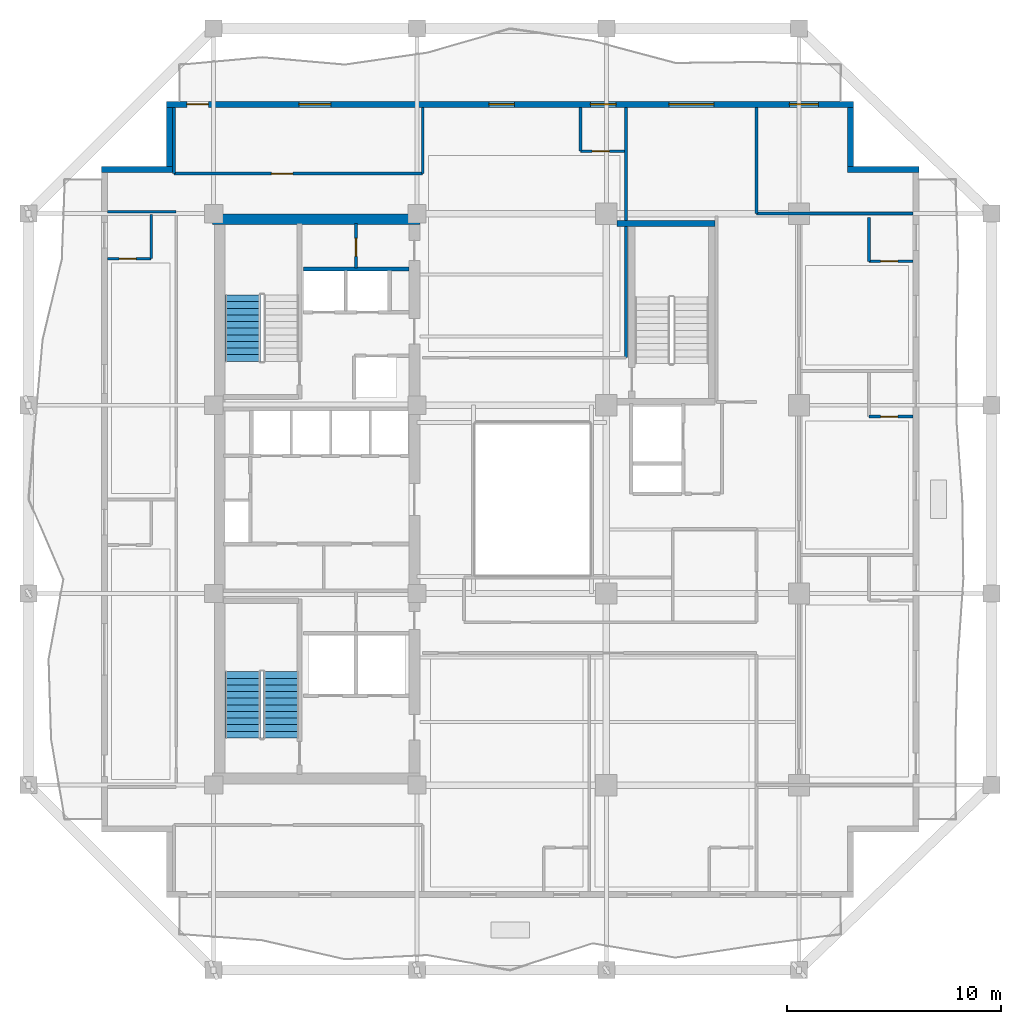
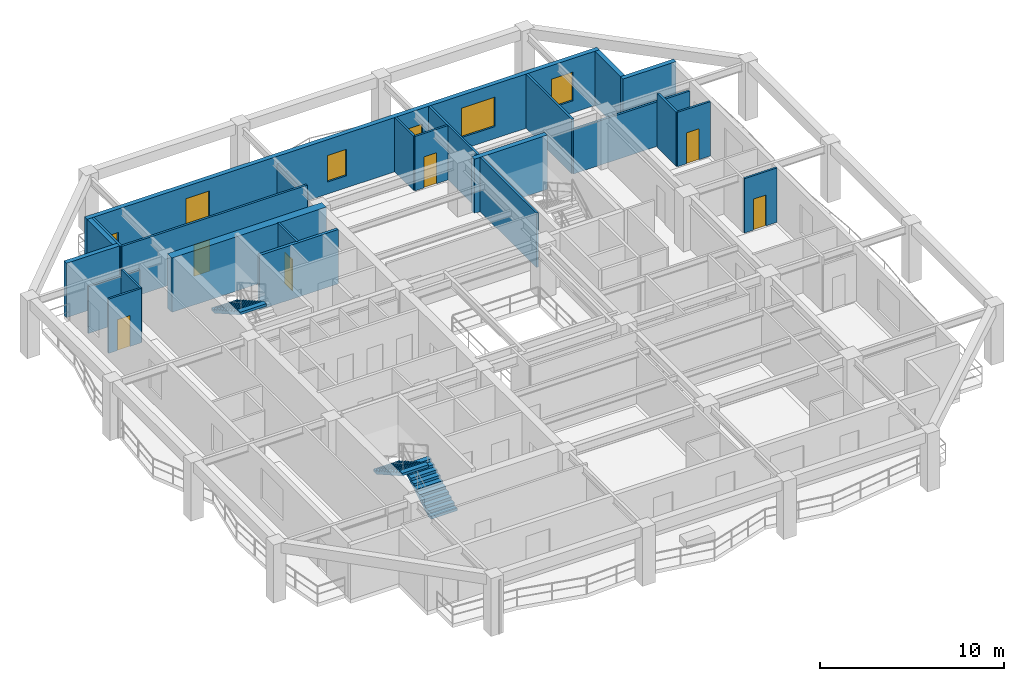
# One storey, part 6 of 11: 23 walls, 7 doors, 5 windows, 3 stair flights, 12 openings, 2 elements without a shape of their own.
"""IFC4 building model written with IfcOpenShell, lengths in metres."""

from ifc_helpers import new_model, si_unit, direction, frame, frame_2d, origin, place, context, subcontext, project, spatial, polyline, rectangle, outline, extrude, material, layer, layer_set, type_object, element, fill, aggregate, save


model = new_model("IFC4")

# Units and contexts
model_context = context("Model", 3, precision=1e-05, world=origin(), true_north=direction((0.0, 1.0)))
body_context = subcontext(model_context, "Body", "Model", "MODEL_VIEW")
ifc_project = project(units=[si_unit("LENGTHUNIT", "METRE"), si_unit("AREAUNIT", "SQUARE_METRE"), si_unit("VOLUMEUNIT", "CUBIC_METRE"), si_unit("PLANEANGLEUNIT", "RADIAN"), si_unit("MASSUNIT", "GRAM", prefix="KILO")], contexts=[model_context])

# Site, building, storey
site_placement = place(None, origin())
site = spatial("IfcSite", under=ifc_project, at=site_placement, CompositionType="ELEMENT")
building_placement = place(site_placement, origin())
building = spatial("IfcBuilding", under=site, at=building_placement, Name="Kundavana Baori Tower", CompositionType="ELEMENT")
storey_placement = place(building_placement, frame((0.0, 0.0, 119.39990234375)))
storey = spatial("IfcBuildingStorey", under=building, at=storey_placement, Name="L28", CompositionType="ELEMENT", Elevation=119.39990234375)

# Walls
ifc_material_1 = material(Name="Concrete C50/60", Category="concrete")
ifc_layer_1 = layer(ifc_material_1, 0.5, Name="WL-CORE-500")
ifc_layer_set_1 = layer_set([ifc_layer_1], Name="Concrete C50/60")
wall_type_1 = type_object("IfcWallType", Name="WL-CORE-500", PredefinedType="SHEAR", material=ifc_layer_set_1)
wall_1_placement = place(storey_placement, frame((15.39990234375, 41.68994140625, 0.0), z_axis=(0.0, 0.0, 1.0), x_axis=(1.0, 0.0, 0.0)))
element("IfcWall", 1, at=wall_1_placement, inside=storey, type_object=wall_type_1, Name="L28 Offset Core North Shear Wall", PredefinedType="SHEAR", context=body_context, shape_type="SweptSolid", body=[
    extrude(rectangle(XDim=9.68017578125, YDim=0.5, at=frame_2d((4.840087890625, 0.0))), origin(), (0.0, 0.0, 1.0), 3.60009765625),
])
ifc_material_2 = material(Name="Red-Buff Dholpur Sandstone Cladding on Concrete C40/50", Category="masonry")
ifc_layer_2 = layer(ifc_material_2, 0.280029296875, Name="WL-EXT-SAND-280")
ifc_layer_set_2 = layer_set([ifc_layer_2], Name="Red-Buff Dholpur Sandstone Cladding on Concrete C40/50")
wall_type_2 = type_object("IfcWallType", Name="WL-EXT-SAND-280", PredefinedType="STANDARD", material=ifc_layer_set_2)
wall_2_placement = place(storey_placement, frame((48.39990234375, 44.010009765625, 0.0), z_axis=(0.0, 0.0, 1.0), x_axis=(-1.0, 0.0, 0.0)))
element("IfcWall", 2, at=wall_2_placement, inside=storey, type_object=wall_type_2, Name="L28 Exterior Insulated Facade Wall 05", PredefinedType="STANDARD", context=body_context, shape_type="SweptSolid", body=[
    extrude(rectangle(XDim=3.329833984375, YDim=0.280029296875, at=frame_2d((1.6650390625, 0.0))), origin(), (0.0, 0.0, 1.0), 3.60009765625),
])
wall_3_placement = place(storey_placement, frame((45.2099609375, 44.14990234375, 0.0), z_axis=(0.0, 0.0, 1.0), x_axis=(0.0, 1.0, 0.0)))
element("IfcWall", 3, at=wall_3_placement, inside=storey, type_object=wall_type_2, Name="L28 Exterior Insulated Facade Wall 06", PredefinedType="STANDARD", context=body_context, shape_type="SweptSolid", body=[
    extrude(rectangle(XDim=2.77001953125, YDim=0.280029296875, at=frame_2d((1.385009765625, 0.0))), origin(), (0.0, 0.0, 1.0), 3.60009765625),
])

# Wall, openings, door, windows
wall_4_placement = place(storey_placement, frame((45.35009765625, 47.06005859375, 0.0), z_axis=(0.0, 0.0, 1.0), x_axis=(-1.0, 0.0, 0.0)))
wall_4 = element("IfcWall", 4, at=wall_4_placement, inside=storey, type_object=wall_type_2, Name="L28 Exterior Insulated Facade Wall 07", PredefinedType="STANDARD", context=body_context, shape_type="SweptSolid", body=[
    extrude(rectangle(XDim=32.10009765625, YDim=0.280029296875, at=frame_2d((16.050048828125, 0.0))), origin(), (0.0, 0.0, 1.0), 3.60009765625),
])
opening_1_placement = place(wall_4_placement, frame((30.14990234375, 0.0, 0.0)))
opening_1 = element("IfcOpeningElement", 5, at=opening_1_placement, cuts=wall_4, Name="Opening BD-1", PredefinedType="OPENING", context=body_context, shape_type="SweptSolid", body=[
    extrude(rectangle(XDim=1.0, YDim=2.050048828125, at=frame_2d((0.5, 1.02490234375))), frame((0.0, 0.14990234375, 0.0), z_axis=(0.0, -1.0, 0.0), x_axis=(1.0, 0.0, 0.0)), (0.0, 0.0, 1.0), 0.300048828125),
])
opening_2_placement = place(wall_4_placement, frame((24.419921875, 0.0, 0.800048828125)))
opening_2 = element("IfcOpeningElement", 6, at=opening_2_placement, cuts=wall_4, Name="Opening W-02", PredefinedType="OPENING", context=body_context, shape_type="SweptSolid", body=[
    extrude(rectangle(XDim=1.5, YDim=2.0, at=frame_2d((0.75, 1.0))), frame((0.0, 0.14990234375, 0.0), z_axis=(0.0, -1.0, 0.0), x_axis=(1.0, 0.0, 0.0)), (0.0, 0.0, 1.0), 0.300048828125),
])
opening_3_placement = place(wall_4_placement, frame((15.844970703125, 0.0, 0.800048828125)))
opening_3 = element("IfcOpeningElement", 7, at=opening_3_placement, cuts=wall_4, Name="Opening W-03", PredefinedType="OPENING", context=body_context, shape_type="SweptSolid", body=[
    extrude(rectangle(XDim=1.199951171875, YDim=1.75, at=frame_2d((0.60009765625, 0.875))), frame((0.0, 0.14990234375, 0.0), z_axis=(0.0, -1.0, 0.0), x_axis=(1.0, 0.0, 0.0)), (0.0, 0.0, 1.0), 0.300048828125),
])
opening_4_placement = place(wall_4_placement, frame((11.094970703125, 0.0, 0.800048828125)))
opening_4 = element("IfcOpeningElement", 8, at=opening_4_placement, cuts=wall_4, Name="Opening W-03", PredefinedType="OPENING", context=body_context, shape_type="SweptSolid", body=[
    extrude(rectangle(XDim=1.199951171875, YDim=1.75, at=frame_2d((0.60009765625, 0.875))), frame((0.0, 0.14990234375, 0.0), z_axis=(0.0, -1.0, 0.0), x_axis=(1.0, 0.0, 0.0)), (0.0, 0.0, 1.0), 0.300048828125),
])
opening_5_placement = place(wall_4_placement, frame((6.530029296875, 0.0, 0.800048828125)))
opening_5 = element("IfcOpeningElement", 9, at=opening_5_placement, cuts=wall_4, Name="Opening W-05", PredefinedType="OPENING", context=body_context, shape_type="SweptSolid", body=[
    extrude(rectangle(XDim=2.10009765625, YDim=1.949951171875, at=frame_2d((1.050048828125, 0.97509765625))), frame((0.0, 0.14990234375, 0.0), z_axis=(0.0, -1.0, 0.0), x_axis=(1.0, 0.0, 0.0)), (0.0, 0.0, 1.0), 0.300048828125),
])
opening_6_placement = place(wall_4_placement, frame((1.64501953125, 0.0, 0.800048828125)))
opening_6 = element("IfcOpeningElement", 10, at=opening_6_placement, cuts=wall_4, Name="Opening W-07", PredefinedType="OPENING", context=body_context, shape_type="SweptSolid", body=[
    extrude(rectangle(XDim=1.35009765625, YDim=1.89990234375, at=frame_2d((0.675048828125, 0.949951171875))), frame((0.0, 0.14990234375, 0.0), z_axis=(0.0, -1.0, 0.0), x_axis=(1.0, 0.0, 0.0)), (0.0, 0.0, 1.0), 0.300048828125),
])
ifc_material_3 = material(Name="Architectural Patinated Bronze Metalwork")
door_type_1 = type_object("IfcDoorType", Name="DR-EXT-LOG-1000", OperationType="NOTDEFINED", PredefinedType="DOOR", material=ifc_material_3)
door_1_placement = place(opening_1_placement, frame((1.0, 0.0, 0.0), z_axis=(0.0, 0.0, 1.0), x_axis=(-1.0, 0.0, 0.0)))
door_1 = element("IfcDoor", 11, at=door_1_placement, inside=storey, type_object=door_type_1, Name="L28 Loggia Balcony Access Door N", OperationType="SINGLE_SWING_LEFT", OverallHeight=2.050048828125, OverallWidth=1.0, PredefinedType="DOOR", context=body_context, shape_type="SweptSolid", body=[
    extrude(rectangle(XDim=1.0, YDim=2.050048828125, at=frame_2d((0.5, 1.02490234375))), frame((0.0, 0.02490234375, 0.0), z_axis=(0.0, -1.0, 0.0), x_axis=(1.0, 0.0, 0.0)), (0.0, 0.0, 1.0), 0.050048828125),
])
fill(opening_1, door_1)
ifc_material_4 = material(Name="Double-Glazed Solar-Control Low-E Insulated Glass", Category="glass")
window_type_1 = type_object("IfcWindowType", Name="WIN-LOG-1200x1750", PartitioningType="SINGLE_PANEL", PredefinedType="WINDOW", material=ifc_material_4)
window_1_placement = place(opening_3_placement, origin())
window_1 = element("IfcWindow", 12, at=window_1_placement, inside=storey, type_object=window_type_1, Name="L28 Recessed Loggia Window N-2", OverallHeight=1.75, OverallWidth=1.199951171875, PartitioningType="SINGLE_PANEL", PredefinedType="WINDOW", context=body_context, shape_type="SweptSolid", body=[
    extrude(rectangle(XDim=1.199951171875, YDim=1.75, at=frame_2d((0.60009765625, 0.875))), frame((0.0, 0.030029296875, 0.0), z_axis=(0.0, -1.0, 0.0), x_axis=(1.0, 0.0, 0.0)), (0.0, 0.0, 1.0), 0.06005859375),
])
fill(opening_3, window_1)
window_2_placement = place(opening_4_placement, origin())
window_2 = element("IfcWindow", 13, at=window_2_placement, inside=storey, type_object=window_type_1, Name="L28 Recessed Loggia Window N-3", OverallHeight=1.75, OverallWidth=1.199951171875, PartitioningType="SINGLE_PANEL", PredefinedType="WINDOW", context=body_context, shape_type="SweptSolid", body=[
    extrude(rectangle(XDim=1.199951171875, YDim=1.75, at=frame_2d((0.60009765625, 0.875))), frame((0.0, 0.030029296875, 0.0), z_axis=(0.0, -1.0, 0.0), x_axis=(1.0, 0.0, 0.0)), (0.0, 0.0, 1.0), 0.06005859375),
])
fill(opening_4, window_2)
ifc_material_5 = material(Name="Double-Glazed Solar-Control Low-E Insulated Glass", Category="glass")
window_type_2 = type_object("IfcWindowType", Name="WIN-LOG-1350x1900", PartitioningType="SINGLE_PANEL", PredefinedType="WINDOW", material=ifc_material_5)
window_3_placement = place(opening_6_placement, origin())
window_3 = element("IfcWindow", 14, at=window_3_placement, inside=storey, type_object=window_type_2, Name="L28 Recessed Loggia Window N-5", OverallHeight=1.89990234375, OverallWidth=1.35009765625, PartitioningType="SINGLE_PANEL", PredefinedType="WINDOW", context=body_context, shape_type="SweptSolid", body=[
    extrude(rectangle(XDim=1.35009765625, YDim=1.89990234375, at=frame_2d((0.675048828125, 0.949951171875))), frame((0.0, 0.030029296875, 0.0), z_axis=(0.0, -1.0, 0.0), x_axis=(1.0, 0.0, 0.0)), (0.0, 0.0, 1.0), 0.06005859375),
])
fill(opening_6, window_3)
ifc_material_6 = material(Name="Double-Glazed Solar-Control Low-E Insulated Glass", Category="glass")
window_type_3 = type_object("IfcWindowType", Name="WIN-LOG-1500x2000", PartitioningType="SINGLE_PANEL", PredefinedType="WINDOW", material=ifc_material_6)
window_4_placement = place(opening_2_placement, origin())
window_4 = element("IfcWindow", 15, at=window_4_placement, inside=storey, type_object=window_type_3, Name="L28 Recessed Loggia Window N-1", OverallHeight=2.0, OverallWidth=1.5, PartitioningType="SINGLE_PANEL", PredefinedType="WINDOW", context=body_context, shape_type="SweptSolid", body=[
    extrude(rectangle(XDim=1.5, YDim=2.0, at=frame_2d((0.75, 1.0))), frame((0.0, 0.030029296875, 0.0), z_axis=(0.0, -1.0, 0.0), x_axis=(1.0, 0.0, 0.0)), (0.0, 0.0, 1.0), 0.06005859375),
])
fill(opening_2, window_4)
ifc_material_7 = material(Name="Double-Glazed Solar-Control Low-E Insulated Glass", Category="glass")
window_type_4 = type_object("IfcWindowType", Name="WIN-LOG-2100x1950", PartitioningType="SINGLE_PANEL", PredefinedType="WINDOW", material=ifc_material_7)
window_5_placement = place(opening_5_placement, origin())
window_5 = element("IfcWindow", 16, at=window_5_placement, inside=storey, type_object=window_type_4, Name="L28 Recessed Loggia Window N-4", OverallHeight=1.949951171875, OverallWidth=2.10009765625, PartitioningType="SINGLE_PANEL", PredefinedType="WINDOW", context=body_context, shape_type="SweptSolid", body=[
    extrude(rectangle(XDim=2.10009765625, YDim=1.949951171875, at=frame_2d((1.050048828125, 0.97509765625))), frame((0.0, 0.030029296875, 0.0), z_axis=(0.0, -1.0, 0.0), x_axis=(1.0, 0.0, 0.0)), (0.0, 0.0, 1.0), 0.06005859375),
])
fill(opening_5, window_5)

# Walls
wall_5_placement = place(storey_placement, frame((13.389892578125, 46.919921875, 0.0), z_axis=(0.0, 0.0, 1.0), x_axis=(0.0, -1.0, 0.0)))
element("IfcWall", 17, at=wall_5_placement, inside=storey, type_object=wall_type_2, Name="L28 Exterior Insulated Facade Wall 08", PredefinedType="STANDARD", context=body_context, shape_type="SweptSolid", body=[
    extrude(rectangle(XDim=2.77001953125, YDim=0.280029296875, at=frame_2d((1.385009765625, 0.0))), origin(), (0.0, 0.0, 1.0), 3.60009765625),
])
wall_6_placement = place(storey_placement, frame((13.530029296875, 44.010009765625, 0.0), z_axis=(0.0, 0.0, 1.0), x_axis=(-1.0, 0.0, 0.0)))
element("IfcWall", 18, at=wall_6_placement, inside=storey, type_object=wall_type_2, Name="L28 Exterior Insulated Facade Wall 09", PredefinedType="STANDARD", context=body_context, shape_type="SweptSolid", body=[
    extrude(rectangle(XDim=3.330078125, YDim=0.280029296875, at=frame_2d((1.6650390625, 0.0))), origin(), (0.0, 0.0, 1.0), 3.60009765625),
])

# Wall, opening, door
ifc_material_8 = material(Name="Acoustic Gypsum Plasterboard on Galvanised Steel Studs", Category="steel")
ifc_layer_3 = layer(ifc_material_8, 0.1201171875, Name="WL-PART-120")
ifc_layer_set_3 = layer_set([ifc_layer_3], Name="Acoustic Gypsum Plasterboard on Galvanised Steel Studs")
wall_type_3 = type_object("IfcWallType", Name="WL-PART-120", PredefinedType="PARTITIONING", material=ifc_layer_set_3)
wall_7_placement = place(storey_placement, frame((22.10009765625, 39.39990234375, 0.0), z_axis=(0.0, 0.0, 1.0), x_axis=(0.0, 1.0, 0.0)))
wall_7 = element("IfcWall", 19, at=wall_7_placement, inside=storey, type_object=wall_type_3, Name="WL-L28-CSRV-D1", PredefinedType="PARTITIONING", context=body_context, shape_type="SweptSolid", body=[
    extrude(rectangle(XDim=2.080078125, YDim=0.1201171875, at=frame_2d((1.0400390625, 0.0))), origin(), (0.0, 0.0, 1.0), 3.60009765625),
])
opening_7_placement = place(wall_7_placement, frame((0.550048828125, 0.0, 0.0)))
opening_7 = element("IfcOpeningElement", 20, at=opening_7_placement, cuts=wall_7, Name="Opening FD-085", PredefinedType="OPENING", context=body_context, shape_type="SweptSolid", body=[
    extrude(rectangle(XDim=0.85009765625, YDim=2.06005859375, at=frame_2d((0.425048828125, 1.030029296875))), frame((0.0, 0.070068359375, 0.0), z_axis=(0.0, -1.0, 0.0), x_axis=(1.0, 0.0, 0.0)), (0.0, 0.0, 1.0), 0.14013671875),
])
ifc_material_9 = material(Name="Galvanised Steel Fire-Rated Door Leaf", Category="steel")
door_type_2 = type_object("IfcDoorType", Name="DR-FD60-850", OperationType="NOTDEFINED", PredefinedType="DOOR", material=ifc_material_9)
door_2_placement = place(opening_7_placement, origin())
door_2 = element("IfcDoor", 21, at=door_2_placement, inside=storey, type_object=door_type_2, Name="DR-L28-CSRV1", OperationType="SINGLE_SWING_LEFT", OverallHeight=2.06005859375, OverallWidth=0.85009765625, PredefinedType="DOOR", context=body_context, shape_type="SweptSolid", body=[
    extrude(rectangle(XDim=0.85009765625, YDim=2.06005859375, at=frame_2d((0.425048828125, 1.030029296875))), frame((0.0, 0.02490234375, 0.0), z_axis=(0.0, -1.0, 0.0), x_axis=(1.0, 0.0, 0.0)), (0.0, 0.0, 1.0), 0.050048828125),
])
fill(opening_7, door_2)

# Walls
ifc_material_10 = material(Name="Acoustic Gypsum Plasterboard on Galvanised Steel Studs", Category="steel")
ifc_layer_4 = layer(ifc_material_10, 0.135009765625, Name="WL-PART-135")
ifc_layer_set_4 = layer_set([ifc_layer_4], Name="Acoustic Gypsum Plasterboard on Galvanised Steel Studs")
wall_type_4 = type_object("IfcWallType", Name="WL-PART-135", PredefinedType="PARTITIONING", material=ifc_layer_set_4)
wall_8_placement = place(storey_placement, frame((40.820068359375, 41.949951171875, 0.0), z_axis=(0.0, 0.0, 1.0), x_axis=(1.0, 0.0, 0.0)))
element("IfcWall", 22, at=wall_8_placement, inside=storey, type_object=wall_type_4, Name="WL-L28-HEN", PredefinedType="PARTITIONING", context=body_context, shape_type="SweptSolid", body=[
    extrude(rectangle(XDim=7.300048828125, YDim=0.135009765625, at=frame_2d((3.64990234375, 0.0))), origin(), (0.0, 0.0, 1.0), 2.9501953125),
])
wall_9_placement = place(storey_placement, frame((10.47998046875, 42.0400390625, 0.0), z_axis=(0.0, 0.0, 1.0), x_axis=(1.0, 0.0, 0.0)))
element("IfcWall", 23, at=wall_9_placement, inside=storey, type_object=wall_type_4, Name="WL-L28-HWN", PredefinedType="PARTITIONING", context=body_context, shape_type="SweptSolid", body=[
    extrude(rectangle(XDim=3.219970703125, YDim=0.135009765625, at=frame_2d((1.60986328125, 0.0))), origin(), (0.0, 0.0, 1.0), 3.10009765625),
])

# Wall, opening, door
wall_10_placement = place(storey_placement, frame((13.590087890625, 43.820068359375, 0.0), z_axis=(0.0, 0.0, 1.0), x_axis=(1.0, 0.0, 0.0)))
wall_10 = element("IfcWall", 24, at=wall_10_placement, inside=storey, type_object=wall_type_4, Name="WL-L28-HNC", PredefinedType="PARTITIONING", context=body_context, shape_type="SweptSolid", body=[
    extrude(rectangle(XDim=11.6298828125, YDim=0.135009765625, at=frame_2d((5.81494140625, 0.0))), origin(), (0.0, 0.0, 1.0), 3.60009765625),
])
opening_8_placement = place(wall_10_placement, frame((4.56005859375, 0.0, 0.0)))
opening_8 = element("IfcOpeningElement", 25, at=opening_8_placement, cuts=wall_10, Name="Opening ID-100", PredefinedType="OPENING", context=body_context, shape_type="SweptSolid", body=[
    extrude(rectangle(XDim=1.0, YDim=2.080078125, at=frame_2d((0.5, 1.0400390625))), frame((0.0, 0.07763671875, 0.0), z_axis=(0.0, -1.0, 0.0), x_axis=(1.0, 0.0, 0.0)), (0.0, 0.0, 1.0), 0.155029296875),
])
ifc_material_11 = material(Name="Engineered Teak Solid-Core Timber Veneer", Category="wood")
door_type_3 = type_object("IfcDoorType", Name="DR-INT-1000", OperationType="NOTDEFINED", PredefinedType="DOOR", material=ifc_material_11)
door_3_placement = place(opening_8_placement, origin())
door_3 = element("IfcDoor", 26, at=door_3_placement, inside=storey, type_object=door_type_3, Name="DR-L28-HMNW", OperationType="SINGLE_SWING_RIGHT", OverallHeight=2.080078125, OverallWidth=1.0, PredefinedType="DOOR", context=body_context, shape_type="SweptSolid", body=[
    extrude(rectangle(XDim=1.0, YDim=2.080078125, at=frame_2d((0.5, 1.0400390625))), frame((0.0, 0.02490234375, 0.0), z_axis=(0.0, -1.0, 0.0), x_axis=(1.0, 0.0, 0.0)), (0.0, 0.0, 1.0), 0.050048828125),
])
fill(opening_8, door_3)

# Walls
wall_11_placement = place(storey_placement, frame((13.590087890625, 43.820068359375, 0.0), z_axis=(0.0, 0.0, 1.0), x_axis=(0.0, 1.0, 0.0)))
element("IfcWall", 27, at=wall_11_placement, inside=storey, type_object=wall_type_4, Name="WL-L28-HNCW", PredefinedType="PARTITIONING", context=body_context, shape_type="SweptSolid", body=[
    extrude(rectangle(XDim=3.099853515625, YDim=0.135009765625, at=frame_2d((1.5498046875, 0.0))), origin(), (0.0, 0.0, 1.0), 3.60009765625),
])
wall_12_placement = place(storey_placement, frame((25.219970703125, 43.820068359375, 0.0), z_axis=(0.0, 0.0, 1.0), x_axis=(0.0, 1.0, 0.0)))
element("IfcWall", 28, at=wall_12_placement, inside=storey, type_object=wall_type_4, Name="WL-L28-HNCE", PredefinedType="PARTITIONING", context=body_context, shape_type="SweptSolid", body=[
    extrude(rectangle(XDim=3.099853515625, YDim=0.135009765625, at=frame_2d((1.5498046875, 0.0))), origin(), (0.0, 0.0, 1.0), 3.10009765625),
])
wall_13_placement = place(storey_placement, frame((34.719970703125, 35.219970703125, 0.0), z_axis=(0.0, 0.0, 1.0), x_axis=(0.0, 1.0, 0.0)))
element("IfcWall", 29, at=wall_13_placement, inside=storey, type_object=wall_type_4, Name="WL-L28-HNEND", PredefinedType="PARTITIONING", context=body_context, shape_type="SweptSolid", body=[
    extrude(rectangle(XDim=11.699951171875, YDim=0.135009765625, at=frame_2d((5.85009765625, 0.0))), origin(), (0.0, 0.0, 1.0), 3.60009765625),
])
wall_14_placement = place(storey_placement, frame((40.820068359375, 41.949951171875, 0.0), z_axis=(0.0, 0.0, 1.0), x_axis=(0.0, 1.0, 0.0)))
element("IfcWall", 30, at=wall_14_placement, inside=storey, type_object=wall_type_4, Name="WL-L28-HNEE", PredefinedType="PARTITIONING", context=body_context, shape_type="SweptSolid", body=[
    extrude(rectangle(XDim=4.969970703125, YDim=0.135009765625, at=frame_2d((2.48486328125, 0.0))), origin(), (0.0, 0.0, 1.0), 3.60009765625),
])
ifc_material_12 = material(Name="Autoclaved Aerated Concrete Blockwork Masonry", Category="masonry")
ifc_layer_5 = layer(ifc_material_12, 0.179931640625, Name="WL-SHAFT-180")
ifc_layer_set_5 = layer_set([ifc_layer_5], Name="Autoclaved Aerated Concrete Blockwork Masonry")
wall_type_5 = type_object("IfcWallType", Name="WL-SHAFT-180", PredefinedType="SOLIDWALL", material=ifc_layer_set_5)
wall_15_placement = place(storey_placement, frame((19.639892578125, 39.360107421875, 0.0), z_axis=(0.0, 0.0, 1.0), x_axis=(1.0, 0.0, 0.0)))
element("IfcWall", 31, at=wall_15_placement, inside=storey, type_object=wall_type_5, Name="WL-L28-HRLOB-TOP", PredefinedType="SOLIDWALL", context=body_context, shape_type="SweptSolid", body=[
    extrude(rectangle(XDim=4.940185546875, YDim=0.179931640625, at=frame_2d((2.47021484375, 0.0))), origin(), (0.0, 0.0, 1.0), 3.60009765625),
])
ifc_material_13 = material(Name="Concrete C50/60", Category="concrete")
ifc_layer_6 = layer(ifc_material_13, 0.300048828125, Name="WL-ST3-300")
ifc_layer_set_6 = layer_set([ifc_layer_6], Name="Concrete C50/60")
wall_type_6 = type_object("IfcWallType", Name="WL-ST3-300", PredefinedType="SHEAR", material=ifc_layer_set_6)
wall_16_placement = place(storey_placement, frame((34.300048828125, 41.489990234375, 0.0), z_axis=(0.0, 0.0, 1.0), x_axis=(1.0, 0.0, 0.0)))
element("IfcWall", 32, at=wall_16_placement, inside=storey, type_object=wall_type_6, Name="L28 Stair ST3 North Shear Wall", PredefinedType="SHEAR", context=body_context, shape_type="SweptSolid", body=[
    extrude(rectangle(XDim=4.570068359375, YDim=0.300048828125, at=frame_2d((2.28515625, 0.0))), origin(), (0.0, 0.0, 1.0), 3.60009765625),
])
ifc_material_14 = material(Name="Autoclaved Aerated Concrete Blockwork Masonry", Category="masonry")
ifc_layer_7 = layer(ifc_material_14, 0.125, Name="WL-WET-120")
ifc_layer_set_7 = layer_set([ifc_layer_7], Name="Autoclaved Aerated Concrete Blockwork Masonry")
wall_type_7 = type_object("IfcWallType", Name="WL-WET-120", PredefinedType="PLUMBINGWALL", material=ifc_layer_set_7)
wall_17_placement = place(storey_placement, frame((12.530029296875, 39.85009765625, 0.0), z_axis=(0.0, 0.0, 1.0), x_axis=(0.0, 1.0, 0.0)))
element("IfcWall", 33, at=wall_17_placement, inside=storey, type_object=wall_type_7, Name="WL-L28-HK-W2-BE", PredefinedType="PLUMBINGWALL", context=body_context, shape_type="SweptSolid", body=[
    extrude(rectangle(XDim=2.0498046875, YDim=0.125, at=frame_2d((1.02490234375, 0.0))), origin(), (0.0, 0.0, 1.0), 3.60009765625),
])

# Wall, opening, door
wall_18_placement = place(storey_placement, frame((10.47998046875, 39.85009765625, 0.0), z_axis=(0.0, 0.0, 1.0), x_axis=(1.0, 0.0, 0.0)))
wall_18 = element("IfcWall", 34, at=wall_18_placement, inside=storey, type_object=wall_type_7, Name="WL-L28-HK-W2-BS", PredefinedType="PLUMBINGWALL", context=body_context, shape_type="SweptSolid", body=[
    extrude(rectangle(XDim=2.050048828125, YDim=0.125, at=frame_2d((1.02490234375, 0.0))), origin(), (0.0, 0.0, 1.0), 3.60009765625),
])
opening_9_placement = place(wall_18_placement, frame((0.550048828125, 0.0, 0.0)))
opening_9 = element("IfcOpeningElement", 35, at=opening_9_placement, cuts=wall_18, Name="Opening WD-080", PredefinedType="OPENING", context=body_context, shape_type="SweptSolid", body=[
    extrude(rectangle(XDim=0.800048828125, YDim=2.050048828125, at=frame_2d((0.39990234375, 1.02490234375))), frame((0.0, 0.072509765625, 0.0), z_axis=(0.0, -1.0, 0.0), x_axis=(1.0, 0.0, 0.0)), (0.0, 0.0, 1.0), 0.14501953125),
])
ifc_material_15 = material(Name="Engineered Teak Solid-Core Timber Veneer", Category="wood")
door_type_4 = type_object("IfcDoorType", Name="DR-WET-800", OperationType="NOTDEFINED", PredefinedType="DOOR", material=ifc_material_15)
door_4_placement = place(opening_9_placement, frame((0.800048828125, 0.0, 0.0), z_axis=(0.0, 0.0, 1.0), x_axis=(-1.0, 0.0, 0.0)))
door_4 = element("IfcDoor", 36, at=door_4_placement, inside=storey, type_object=door_type_4, Name="DR-L28-HK-W2-ENS", OperationType="SINGLE_SWING_LEFT", OverallHeight=2.050048828125, OverallWidth=0.800048828125, PredefinedType="DOOR", context=body_context, shape_type="SweptSolid", body=[
    extrude(rectangle(XDim=0.800048828125, YDim=2.050048828125, at=frame_2d((0.39990234375, 1.02490234375))), frame((0.0, 0.02490234375, 0.0), z_axis=(0.0, -1.0, 0.0), x_axis=(1.0, 0.0, 0.0)), (0.0, 0.0, 1.0), 0.050048828125),
])
fill(opening_9, door_4)

wall_19_placement = place(storey_placement, frame((46.070068359375, 32.469970703125, 0.0), z_axis=(0.0, 0.0, 1.0), x_axis=(1.0, 0.0, 0.0)))
wall_19 = element("IfcWall", 37, at=wall_19_placement, inside=storey, type_object=wall_type_7, Name="WL-L28-HK-E2-BS", PredefinedType="PLUMBINGWALL", context=body_context, shape_type="SweptSolid", body=[
    extrude(rectangle(XDim=2.050048828125, YDim=0.125, at=frame_2d((1.02490234375, 0.0))), origin(), (0.0, 0.0, 1.0), 3.60009765625),
])
opening_10_placement = place(wall_19_placement, frame((0.550048828125, 0.0, 0.0)))
opening_10 = element("IfcOpeningElement", 38, at=opening_10_placement, cuts=wall_19, Name="Opening WD-080", PredefinedType="OPENING", context=body_context, shape_type="SweptSolid", body=[
    extrude(rectangle(XDim=0.800048828125, YDim=2.050048828125, at=frame_2d((0.39990234375, 1.02490234375))), frame((0.0, 0.072509765625, 0.0), z_axis=(0.0, -1.0, 0.0), x_axis=(1.0, 0.0, 0.0)), (0.0, 0.0, 1.0), 0.14501953125),
])
door_5_placement = place(opening_10_placement, frame((0.800048828125, 0.0, 0.0), z_axis=(0.0, 0.0, 1.0), x_axis=(-1.0, 0.0, 0.0)))
door_5 = element("IfcDoor", 39, at=door_5_placement, inside=storey, type_object=door_type_4, Name="DR-L28-HK-E2-ENS", OperationType="SINGLE_SWING_LEFT", OverallHeight=2.050048828125, OverallWidth=0.800048828125, PredefinedType="DOOR", context=body_context, shape_type="SweptSolid", body=[
    extrude(rectangle(XDim=0.800048828125, YDim=2.050048828125, at=frame_2d((0.39990234375, 1.02490234375))), frame((0.0, 0.02490234375, 0.0), z_axis=(0.0, -1.0, 0.0), x_axis=(1.0, 0.0, 0.0)), (0.0, 0.0, 1.0), 0.050048828125),
])
fill(opening_10, door_5)

# Wall
wall_20_placement = place(storey_placement, frame((46.070068359375, 39.719970703125, 0.0), z_axis=(0.0, 0.0, 1.0), x_axis=(0.0, 1.0, 0.0)))
element("IfcWall", 40, at=wall_20_placement, inside=storey, type_object=wall_type_7, Name="WL-L28-HK-E3-BW", PredefinedType="PLUMBINGWALL", context=body_context, shape_type="SweptSolid", body=[
    extrude(rectangle(XDim=2.050048828125, YDim=0.125, at=frame_2d((1.02490234375, 0.0))), origin(), (0.0, 0.0, 1.0), 3.60009765625),
])

# Wall, opening, door
wall_21_placement = place(storey_placement, frame((46.070068359375, 39.719970703125, 0.0), z_axis=(0.0, 0.0, 1.0), x_axis=(1.0, 0.0, 0.0)))
wall_21 = element("IfcWall", 41, at=wall_21_placement, inside=storey, type_object=wall_type_7, Name="WL-L28-HK-E3-BS", PredefinedType="PLUMBINGWALL", context=body_context, shape_type="SweptSolid", body=[
    extrude(rectangle(XDim=2.050048828125, YDim=0.125, at=frame_2d((1.02490234375, 0.0))), origin(), (0.0, 0.0, 1.0), 3.60009765625),
])
opening_11_placement = place(wall_21_placement, frame((0.550048828125, 0.0, 0.0)))
opening_11 = element("IfcOpeningElement", 42, at=opening_11_placement, cuts=wall_21, Name="Opening WD-080", PredefinedType="OPENING", context=body_context, shape_type="SweptSolid", body=[
    extrude(rectangle(XDim=0.800048828125, YDim=2.050048828125, at=frame_2d((0.39990234375, 1.02490234375))), frame((0.0, 0.072509765625, 0.0), z_axis=(0.0, -1.0, 0.0), x_axis=(1.0, 0.0, 0.0)), (0.0, 0.0, 1.0), 0.14501953125),
])
door_6_placement = place(opening_11_placement, frame((0.800048828125, 0.0, 0.0), z_axis=(0.0, 0.0, 1.0), x_axis=(-1.0, 0.0, 0.0)))
door_6 = element("IfcDoor", 43, at=door_6_placement, inside=storey, type_object=door_type_4, Name="DR-L28-HK-E3-ENS", OperationType="SINGLE_SWING_LEFT", OverallHeight=2.050048828125, OverallWidth=0.800048828125, PredefinedType="DOOR", context=body_context, shape_type="SweptSolid", body=[
    extrude(rectangle(XDim=0.800048828125, YDim=2.050048828125, at=frame_2d((0.39990234375, 1.02490234375))), frame((0.0, 0.02490234375, 0.0), z_axis=(0.0, -1.0, 0.0), x_axis=(1.0, 0.0, 0.0)), (0.0, 0.0, 1.0), 0.050048828125),
])
fill(opening_11, door_6)

# Wall
wall_22_placement = place(storey_placement, frame((32.590087890625, 44.8701171875, 0.0), z_axis=(0.0, 0.0, 1.0), x_axis=(0.0, 1.0, 0.0)))
element("IfcWall", 44, at=wall_22_placement, inside=storey, type_object=wall_type_7, Name="WL-L28-HK-N1-BW", PredefinedType="PLUMBINGWALL", context=body_context, shape_type="SweptSolid", body=[
    extrude(rectangle(XDim=2.0498046875, YDim=0.125, at=frame_2d((1.02490234375, 0.0))), origin(), (0.0, 0.0, 1.0), 3.60009765625),
])

# Wall, opening, door
wall_23_placement = place(storey_placement, frame((32.590087890625, 44.8701171875, 0.0), z_axis=(0.0, 0.0, 1.0), x_axis=(1.0, 0.0, 0.0)))
wall_23 = element("IfcWall", 45, at=wall_23_placement, inside=storey, type_object=wall_type_7, Name="WL-L28-HK-N1-BS", PredefinedType="PLUMBINGWALL", context=body_context, shape_type="SweptSolid", body=[
    extrude(rectangle(XDim=2.0498046875, YDim=0.125, at=frame_2d((1.02490234375, 0.0))), origin(), (0.0, 0.0, 1.0), 3.60009765625),
])
opening_12_placement = place(wall_23_placement, frame((0.550048828125, 0.0, 0.0)))
opening_12 = element("IfcOpeningElement", 46, at=opening_12_placement, cuts=wall_23, Name="Opening WD-080", PredefinedType="OPENING", context=body_context, shape_type="SweptSolid", body=[
    extrude(rectangle(XDim=0.800048828125, YDim=2.050048828125, at=frame_2d((0.39990234375, 1.02490234375))), frame((0.0, 0.072509765625, 0.0), z_axis=(0.0, -1.0, 0.0), x_axis=(1.0, 0.0, 0.0)), (0.0, 0.0, 1.0), 0.14501953125),
])
door_7_placement = place(opening_12_placement, frame((0.800048828125, 0.0, 0.0), z_axis=(0.0, 0.0, 1.0), x_axis=(-1.0, 0.0, 0.0)))
door_7 = element("IfcDoor", 47, at=door_7_placement, inside=storey, type_object=door_type_4, Name="DR-L28-HK-N1-ENS", OperationType="SINGLE_SWING_LEFT", OverallHeight=2.050048828125, OverallWidth=0.800048828125, PredefinedType="DOOR", context=body_context, shape_type="SweptSolid", body=[
    extrude(rectangle(XDim=0.800048828125, YDim=2.050048828125, at=frame_2d((0.39990234375, 1.02490234375))), frame((0.0, 0.02490234375, 0.0), z_axis=(0.0, -1.0, 0.0), x_axis=(1.0, 0.0, 0.0)), (0.0, 0.0, 1.0), 0.050048828125),
])
fill(opening_12, door_7)

# Stair, stair flights
ifc_material_16 = material(Name="Concrete C40/50", Category="concrete")
stair_type = type_object("IfcStairType", Name="STR-DOG-1650", PredefinedType="HALF_TURN_STAIR", material=ifc_material_16)
stair_1_placement = place(storey_placement, origin())
stair_1 = element("IfcStair", 48, at=stair_1_placement, inside=storey, type_object=stair_type, Name="L28 Protected Exit Stair ST1", PredefinedType="HALF_TURN_STAIR")
ifc_material_17 = material(Name="Concrete C40/50", Category="concrete")
stair_flight_type = type_object("IfcStairFlightType", Name="SFL-RC-1650", PredefinedType="STRAIGHT", material=ifc_material_17)
stair_flight_1_placement = place(storey_placement, frame((18.614990234375, 17.449951171875, 0.0), z_axis=(0.0, 0.0, 1.0), x_axis=(0.0, 1.0, 0.0)))
stair_flight_1 = element("IfcStairFlight", 49, at=stair_flight_1_placement, type_object=stair_flight_type, Name="ST1 flight 1", NumberOfRisers=11, NumberOfTreads=10, PredefinedType="STRAIGHT", RiserHeight=0.175, TreadLength=0.31, context=body_context, shape_type="SweptSolid", body=[
    extrude(outline(polyline([(0.0, 0.0), (0.0, 0.175048828125), (0.31005859375, 0.175048828125), (0.31005859375, 0.35009765625), (0.6201171875, 0.35009765625), (0.6201171875, 0.52490234375), (0.929931640625, 0.52490234375), (0.929931640625, 0.699951171875), (1.239990234375, 0.699951171875), (1.239990234375, 0.875), (1.550048828125, 0.875), (1.550048828125, 1.050048828125), (1.860107421875, 1.050048828125), (1.860107421875, 1.22509765625), (2.169921875, 1.22509765625), (2.169921875, 1.39990234375), (2.47998046875, 1.39990234375), (2.47998046875, 1.574951171875), (2.7900390625, 1.574951171875), (2.7900390625, 1.75), (3.10009765625, 1.75), (3.10009765625, 1.925048828125), (3.10009765625, 1.577880859375), (0.304931640625, 0.0), (0.0, 0.0)])), frame((0.0, 0.824951171875, 0.0), z_axis=(0.0, -1.0, 0.0), x_axis=(1.0, 0.0, 0.0)), (0.0, 0.0, 1.0), 1.64990234375),
])
stair_flight_2_placement = place(storey_placement, frame((16.804931640625, 20.550048828125, 1.925048828125), z_axis=(0.0, 0.0, 1.0), x_axis=(0.0, -1.0, 0.0)))
stair_flight_2 = element("IfcStairFlight", 50, at=stair_flight_2_placement, type_object=stair_flight_type, Name="ST1 flight 2", NumberOfRisers=11, NumberOfTreads=10, PredefinedType="STRAIGHT", RiserHeight=0.175, TreadLength=0.31, context=body_context, shape_type="SweptSolid", body=[
    extrude(outline(polyline([(0.0, 0.0), (0.0, 0.175048828125), (0.31005859375, 0.175048828125), (0.31005859375, 0.35009765625), (0.6201171875, 0.35009765625), (0.6201171875, 0.52490234375), (0.929931640625, 0.52490234375), (0.929931640625, 0.699951171875), (1.239990234375, 0.699951171875), (1.239990234375, 0.875), (1.550048828125, 0.875), (1.550048828125, 1.050048828125), (1.860107421875, 1.050048828125), (1.860107421875, 1.22509765625), (2.169921875, 1.22509765625), (2.169921875, 1.39990234375), (2.47998046875, 1.39990234375), (2.47998046875, 1.574951171875), (2.7900390625, 1.574951171875), (2.7900390625, 1.75), (3.10009765625, 1.75), (3.10009765625, 1.925048828125), (3.10009765625, 1.577880859375), (0.304931640625, 0.0), (0.0, 0.0)])), frame((0.0, 0.824951171875, 0.0), z_axis=(0.0, -1.0, 0.0), x_axis=(1.0, 0.0, 0.0)), (0.0, 0.0, 1.0), 1.64990234375),
])
aggregate(stair_1, [stair_flight_1, stair_flight_2])

# Stair, stair flight
stair_2_placement = place(storey_placement, origin())
stair_2 = element("IfcStair", 51, at=stair_2_placement, inside=storey, type_object=stair_type, Name="L28 Protected Exit Stair ST2", PredefinedType="HALF_TURN_STAIR")
stair_flight_3_placement = place(storey_placement, frame((16.804931640625, 38.14990234375, 1.925048828125), z_axis=(0.0, 0.0, 1.0), x_axis=(0.0, -1.0, 0.0)))
stair_flight_3 = element("IfcStairFlight", 52, at=stair_flight_3_placement, type_object=stair_flight_type, Name="ST2 flight 2", NumberOfRisers=11, NumberOfTreads=10, PredefinedType="STRAIGHT", RiserHeight=0.175, TreadLength=0.31, context=body_context, shape_type="SweptSolid", body=[
    extrude(outline(polyline([(0.0, 0.0), (0.0, 0.175048828125), (0.31005859375, 0.175048828125), (0.31005859375, 0.35009765625), (0.6201171875, 0.35009765625), (0.6201171875, 0.52490234375), (0.929931640625, 0.52490234375), (0.929931640625, 0.699951171875), (1.239990234375, 0.699951171875), (1.239990234375, 0.875), (1.550048828125, 0.875), (1.550048828125, 1.050048828125), (1.860107421875, 1.050048828125), (1.860107421875, 1.22509765625), (2.169921875, 1.22509765625), (2.169921875, 1.39990234375), (2.47998046875, 1.39990234375), (2.47998046875, 1.574951171875), (2.7900390625, 1.574951171875), (2.7900390625, 1.75), (3.10009765625, 1.75), (3.10009765625, 1.925048828125), (3.10009765625, 1.577880859375), (0.304931640625, 0.0), (0.0, 0.0)])), frame((0.0, 0.824951171875, 0.0), z_axis=(0.0, -1.0, 0.0), x_axis=(1.0, 0.0, 0.0)), (0.0, 0.0, 1.0), 1.64990234375),
])
aggregate(stair_2, [stair_flight_3])

save(model, "model.ifc")
